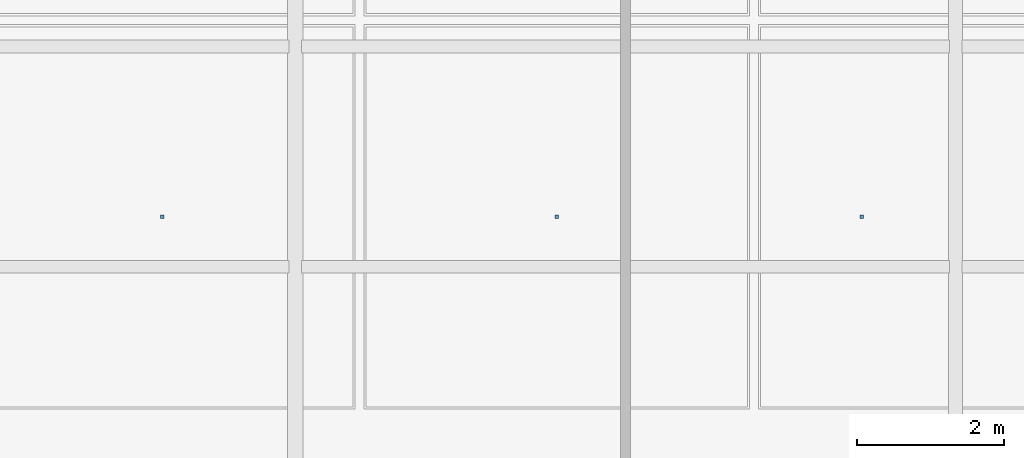
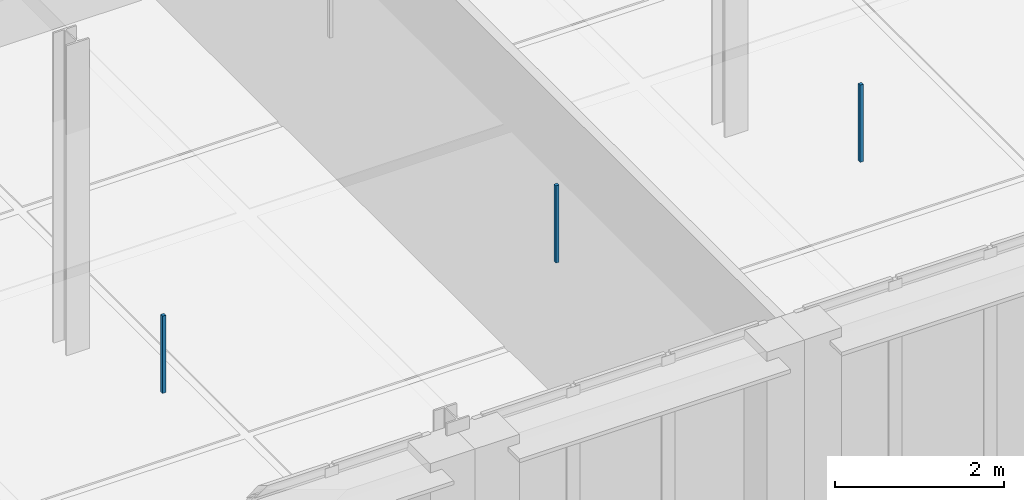
# One storey, part 72 of 89: 3 discrete accessories.
"""IFC4 building model written with IfcOpenShell, lengths in metres."""

from ifc_helpers import new_model, si_unit, direction, frame, origin, origin_2d, place, context, subcontext, project, spatial, rectangle, extrude, material, type_object, element, save


model = new_model("IFC4")

# Units and contexts
model_context = context("Model", 3, precision=1e-05, world=origin(), true_north=direction((0.0, 1.0)))
body_context = subcontext(model_context, "Body", "Model", "MODEL_VIEW")
ifc_project = project(units=[si_unit("LENGTHUNIT", "METRE"), si_unit("AREAUNIT", "SQUARE_METRE"), si_unit("VOLUMEUNIT", "CUBIC_METRE"), si_unit("PLANEANGLEUNIT", "RADIAN"), si_unit("MASSUNIT", "GRAM", prefix="KILO"), si_unit("THERMODYNAMICTEMPERATUREUNIT", "KELVIN"), si_unit("POWERUNIT", "WATT")], contexts=[model_context])

# Site, building, storey
site_placement = place(None, origin())
site = spatial("IfcSite", under=ifc_project, at=site_placement, CompositionType="ELEMENT")
building_placement = place(site_placement, origin())
building = spatial("IfcBuilding", under=site, at=building_placement, Name="Tallowbark Science Centre", CompositionType="ELEMENT")
storey_placement = place(building_placement, frame((0.0, 0.0, 14.39990234375)))
storey = spatial("IfcBuildingStorey", under=building, at=storey_placement, Name="L03", CompositionType="ELEMENT", Elevation=14.39990234375)

# Discrete accessories
ifc_material = material(Name="Galvanised Steel Grade C350L0 (350 MPa)", Category="steel")
discrete_accessory_type = type_object("IfcDiscreteAccessoryType", Name="ACC-CLG-HNG", PredefinedType="BRACKET", material=ifc_material)
for number, where, z_axis, x_axis, name in (
    (1, (137.6875, 75.6787109375, 3.2060546875), (0.0, 0.0, 1.0), (1.0, 0.0, 0.0), "Ceiling Hanger Bracket L03-1044"),
    (2, (143.0625, 75.6787109375, 3.2060546875), (0.0, 0.0, 1.0), (1.0, 0.0, 0.0), "Ceiling Hanger Bracket L03-1049"),
    (3, (147.219970703125, 75.6787109375, 3.2060546875), (0.0, 0.0, 1.0), (1.0, 0.0, 0.0), "Ceiling Hanger Bracket L03-1054"),
):
    element("IfcDiscreteAccessory", number, at=place(storey_placement, frame(where, z_axis=z_axis, x_axis=x_axis)), inside=storey, type_object=discrete_accessory_type, Name=name, PredefinedType="BRACKET", context=body_context, shape_type="SweptSolid", body=[
        extrude(rectangle(XDim=0.044921875, YDim=0.044921875, at=origin_2d()), origin(), (0.0, 0.0, 1.0), 1.116943359375),
    ])

save(model, "model.ifc")
